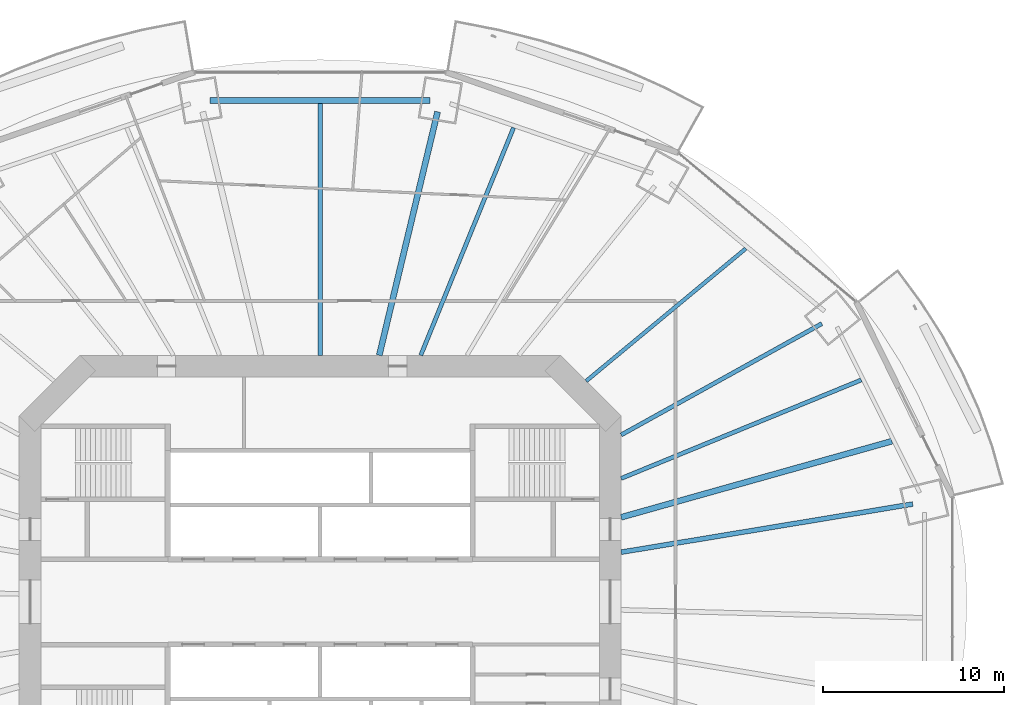
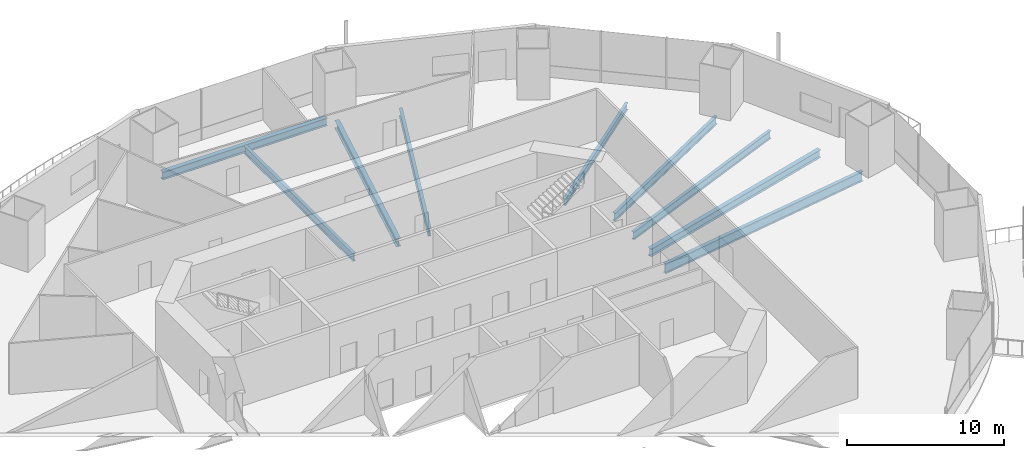
# One storey, part 8 of 22: 9 beams.
"""IFC4 building model written with IfcOpenShell, lengths in metres."""

from ifc_helpers import new_model, si_unit, direction, frame, origin, origin_2d, place, context, subcontext, project, spatial, i_section, extrude, material, material_profile, profile_set, type_object, element, save


model = new_model("IFC4")

# Units and contexts
model_context = context("Model", 3, precision=1e-05, world=origin(), true_north=direction((0.0, 1.0)))
body_context = subcontext(model_context, "Body", "Model", "MODEL_VIEW")
ifc_project = project(units=[si_unit("LENGTHUNIT", "METRE"), si_unit("AREAUNIT", "SQUARE_METRE"), si_unit("VOLUMEUNIT", "CUBIC_METRE"), si_unit("PLANEANGLEUNIT", "RADIAN"), si_unit("MASSUNIT", "GRAM", prefix="KILO")], contexts=[model_context])

# Site, building, storey
site_placement = place(None, origin())
site = spatial("IfcSite", under=ifc_project, at=site_placement, CompositionType="ELEMENT")
building_placement = place(site_placement, origin())
building = spatial("IfcBuilding", under=site, at=building_placement, Name="Marenthal Gate Tower", CompositionType="ELEMENT")
storey_placement = place(building_placement, frame((0.0, 0.0, 74.5)))
storey = spatial("IfcBuildingStorey", under=building, at=storey_placement, Name="L14", CompositionType="ELEMENT", Elevation=74.5)

# Beams
ifc_material_1 = material(Name="Steel S355", Category="steel")
ifc_material_profile_1 = material_profile(ifc_material_1, i_section(OverallWidth=0.2099609375, OverallDepth=0.535888671875, WebThickness=0.010986328125, FlangeThickness=0.017333984375, FilletRadius=0.0126953125, at=origin_2d()), Name="W530X101")
ifc_profile_set_1 = profile_set([ifc_material_profile_1], Name="Steel S355")
beam_type_1 = type_object("IfcBeamType", Name="W530X101 beam", PredefinedType="BEAM", material=ifc_profile_set_1)
beam_1_placement = place(storey_placement, frame((23.47119140625, 19.485595703125, -0.447998046875), z_axis=(-0.769402561639, -0.638764196041, 0.0), x_axis=(0.638764196041, -0.769402561639, 0.0)))
element("IfcBeam", 1, at=beam_1_placement, inside=storey, type_object=beam_type_1, Name="BM-L14-19", PredefinedType="BEAM", context=body_context, shape_type="SweptSolid", body=[
    extrude(i_section(OverallWidth=0.2099609375, OverallDepth=0.535888671875, WebThickness=0.010986328125, FlangeThickness=0.017333984375, FilletRadius=0.0126953125, at=origin_2d()), origin(), (0.0, 0.0, 1.0), 11.439208984375),
])
ifc_material_2 = material(Name="Steel S355", Category="steel")
ifc_material_profile_2 = material_profile(ifc_material_2, i_section(OverallWidth=0.22900390625, OverallDepth=0.612060546875, WebThickness=0.011962890625, FlangeThickness=0.01953125, FilletRadius=0.0126953125, at=origin_2d()), Name="W610X125")
ifc_profile_set_2 = profile_set([ifc_material_profile_2], Name="Steel S355")
beam_type_2 = type_object("IfcBeamType", Name="W610X125 beam", PredefinedType="BEAM", material=ifc_profile_set_2)
beam_2_placement = place(storey_placement, frame((27.6640625, 15.345703125, -0.486083984375), z_axis=(-0.874465657006, -0.485087429972, 0.0), x_axis=(0.485087429972, -0.874465657006, 0.0)))
element("IfcBeam", 2, at=beam_2_placement, inside=storey, type_object=beam_type_2, Name="BM-L14-02", PredefinedType="BEAM", context=body_context, shape_type="SweptSolid", body=[
    extrude(i_section(OverallWidth=0.22900390625, OverallDepth=0.612060546875, WebThickness=0.011962890625, FlangeThickness=0.01953125, FilletRadius=0.0126953125, at=origin_2d()), origin(), (0.0, 0.0, 1.0), 12.65234375),
])
beam_3_placement = place(storey_placement, frame((29.840087890625, 12.239990234375, -0.486083984375), z_axis=(-0.925190275705, -0.379503562225, 0.0), x_axis=(0.379503562225, -0.925190275705, 0.0)))
element("IfcBeam", 3, at=beam_3_placement, inside=storey, type_object=beam_type_2, Name="BM-L14-18", PredefinedType="BEAM", context=body_context, shape_type="SweptSolid", body=[
    extrude(i_section(OverallWidth=0.22900390625, OverallDepth=0.612060546875, WebThickness=0.011962890625, FlangeThickness=0.01953125, FilletRadius=0.0126953125, at=origin_2d()), origin(), (0.0, 0.0, 1.0), 14.310546875),
])
beam_4_placement = place(storey_placement, frame((10.666748046875, 26.152099609375, -0.486083984375), z_axis=(-0.377666991807, -0.925941490214, 0.0), x_axis=(0.925941490214, -0.377666991807, 0.0)))
element("IfcBeam", 4, at=beam_4_placement, inside=storey, type_object=beam_type_2, Name="BM-L14-21", PredefinedType="BEAM", context=body_context, shape_type="SweptSolid", body=[
    extrude(i_section(OverallWidth=0.22900390625, OverallDepth=0.612060546875, WebThickness=0.011962890625, FlangeThickness=0.01953125, FilletRadius=0.0126953125, at=origin_2d()), origin(), (0.0, 0.0, 1.0), 13.555908203125),
])
beam_5_placement = place(storey_placement, frame((0.0, 27.49951171875, -0.486083984375), z_axis=(0.0, -1.0, 0.0), x_axis=(1.0, 0.0, 0.0)))
element("IfcBeam", 5, at=beam_5_placement, inside=storey, type_object=beam_type_2, Name="BM-L14-22", PredefinedType="BEAM", context=body_context, shape_type="SweptSolid", body=[
    extrude(i_section(OverallWidth=0.22900390625, OverallDepth=0.612060546875, WebThickness=0.011962890625, FlangeThickness=0.01953125, FilletRadius=0.0126953125, at=origin_2d()), origin(), (0.0, 0.0, 1.0), 13.8994140625),
])
ifc_material_3 = material(Name="Steel S355", Category="steel")
ifc_material_profile_3 = material_profile(ifc_material_3, i_section(OverallWidth=0.324951171875, OverallDepth=0.612060546875, WebThickness=0.0126953125, FlangeThickness=0.01904296875, FilletRadius=0.0126953125, at=origin_2d()), Name="W610X155")
ifc_profile_set_3 = profile_set([ifc_material_profile_3], Name="Steel S355")
beam_type_3 = type_object("IfcBeamType", Name="W610X155 beam", PredefinedType="BEAM", material=ifc_profile_set_3)
beam_6_placement = place(storey_placement, frame((6.4755859375, 27.027099609375, -0.486083984375), z_axis=(-0.233000428797, -0.972476632203, 0.0), x_axis=(0.972476632203, -0.233000428797, 0.0)))
element("IfcBeam", 6, at=beam_6_placement, inside=storey, type_object=beam_type_3, Name="BM-L14-04", PredefinedType="BEAM", context=body_context, shape_type="SweptSolid", body=[
    extrude(i_section(OverallWidth=0.324951171875, OverallDepth=0.612060546875, WebThickness=0.0126953125, FlangeThickness=0.01904296875, FilletRadius=0.0126953125, at=origin_2d()), origin(), (0.0, 0.0, 1.0), 13.80712890625),
])
beam_7_placement = place(storey_placement, frame((31.525390625, 8.862060546875, -0.486083984375), z_axis=(-0.962687612966, -0.270615150797, 0.0), x_axis=(0.270615150797, -0.962687612966, 0.0)))
element("IfcBeam", 7, at=beam_7_placement, inside=storey, type_object=beam_type_3, Name="BM-L14-17", PredefinedType="BEAM", context=body_context, shape_type="SweptSolid", body=[
    extrude(i_section(OverallWidth=0.324951171875, OverallDepth=0.612060546875, WebThickness=0.0126953125, FlangeThickness=0.01904296875, FilletRadius=0.0126953125, at=origin_2d()), origin(), (0.0, 0.0, 1.0), 15.503662109375),
])
beam_8_placement = place(storey_placement, frame((6.063720703125, 27.662109375, -0.486083984375), z_axis=(-1.0, 0.0, 0.0), x_axis=(0.0, -1.0, 0.0)))
element("IfcBeam", 8, at=beam_8_placement, inside=storey, type_object=beam_type_3, Name="BM-L14-44", PredefinedType="BEAM", context=body_context, shape_type="SweptSolid", body=[
    extrude(i_section(OverallWidth=0.324951171875, OverallDepth=0.612060546875, WebThickness=0.0126953125, FlangeThickness=0.01904296875, FilletRadius=0.0126953125, at=origin_2d()), origin(), (0.0, 0.0, 1.0), 12.12744140625),
])
ifc_material_4 = material(Name="Steel S355", Category="steel")
ifc_material_profile_4 = material_profile(ifc_material_4, i_section(OverallWidth=0.26708984375, OverallDepth=0.761962890625, WebThickness=0.014404296875, FlangeThickness=0.021484375, FilletRadius=0.0166015625, at=origin_2d()), Name="W760X173")
ifc_profile_set_4 = profile_set([ifc_material_profile_4], Name="Steel S355")
beam_type_4 = type_object("IfcBeamType", Name="W760X173 beam", PredefinedType="BEAM", material=ifc_profile_set_4)
beam_9_placement = place(storey_placement, frame((32.676025390625, 5.39599609375, -0.56103515625), z_axis=(-0.986637030798, -0.162933635137, 0.0), x_axis=(0.162933635137, -0.986637030798, 0.0)))
element("IfcBeam", 9, at=beam_9_placement, inside=storey, type_object=beam_type_4, Name="BM-L14-01", PredefinedType="BEAM", context=body_context, shape_type="SweptSolid", body=[
    extrude(i_section(OverallWidth=0.26708984375, OverallDepth=0.761962890625, WebThickness=0.014404296875, FlangeThickness=0.021484375, FilletRadius=0.0166015625, at=origin_2d()), origin(), (0.0, 0.0, 1.0), 16.293701171875),
])

save(model, "model.ifc")
